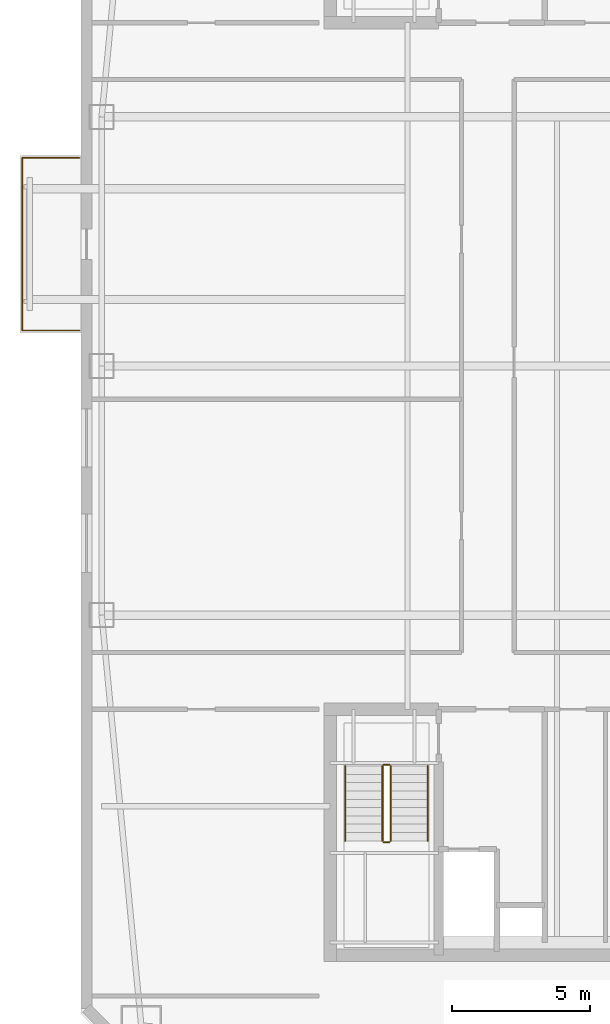
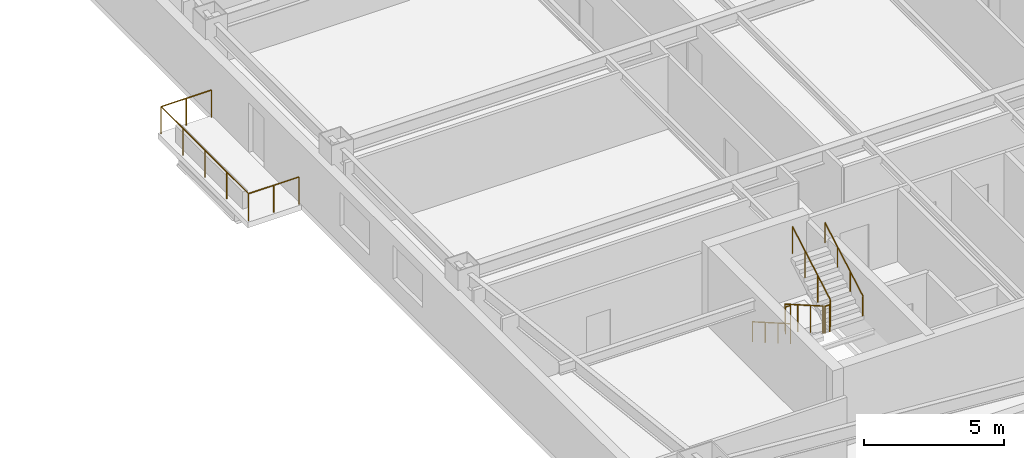
# One storey, part 13 of 16: 7 railings.
"""IFC4 building model written with IfcOpenShell, lengths in metres."""

from ifc_helpers import new_model, si_unit, direction, frame, origin, origin_2d, place, context, subcontext, project, spatial, circle, extrude, material, type_object, element, save


model = new_model("IFC4")

# Units and contexts
model_context = context("Model", 3, precision=1e-05, world=origin(), true_north=direction((0.0, 1.0)))
body_context = subcontext(model_context, "Body", "Model", "MODEL_VIEW")
ifc_project = project(units=[si_unit("LENGTHUNIT", "METRE"), si_unit("AREAUNIT", "SQUARE_METRE"), si_unit("VOLUMEUNIT", "CUBIC_METRE"), si_unit("PLANEANGLEUNIT", "RADIAN"), si_unit("MASSUNIT", "GRAM", prefix="KILO")], contexts=[model_context])

# Site, building, storey
site_placement = place(None, origin())
site = spatial("IfcSite", under=ifc_project, at=site_placement, CompositionType="ELEMENT")
building_placement = place(site_placement, origin())
building = spatial("IfcBuilding", under=site, at=building_placement, Name="Qiaolan Cultural Towers", CompositionType="ELEMENT")
storey_placement = place(building_placement, frame((0.0, 0.0, 198.949951171875)))
storey = spatial("IfcBuildingStorey", under=building, at=storey_placement, Name="L53", CompositionType="ELEMENT", Elevation=198.949951171875)

# Railings
ifc_material_1 = material(Name="Laminated SentryGlas & Stainless Steel S31608 Balustrade", Category="steel")
railing_type_1 = type_object("IfcRailingType", Name="GRD-TERR-1200", PredefinedType="BALUSTRADE", material=ifc_material_1)
railing_1_placement = place(storey_placement, frame((12.75, 35.280029296875, 0.0)))
element("IfcRailing", 1, at=railing_1_placement, inside=storey, type_object=railing_type_1, Name="L53 T1 Tree Balcony Guardrail W", PredefinedType="BALUSTRADE", context=body_context, shape_type="SweptSolid", body=[
    extrude(circle(Radius=0.02392578125, at=origin_2d()), frame((0.0, 0.0, 1.17578125), z_axis=(-1.0, 0.0, 0.0), x_axis=(0.0, -1.0, 0.0)), (0.0, 0.0, 1.0), 2.070068359375),
    extrude(circle(Radius=0.02392578125, at=origin_2d()), frame((-2.070068359375, 0.0, 1.17578125), z_axis=(0.0, 1.0, 0.0), x_axis=(-1.0, 0.0, 0.0)), (0.0, 0.0, 1.0), 6.239990234375),
    extrude(circle(Radius=0.02392578125, at=origin_2d()), frame((-2.070068359375, 6.239990234375, 1.17578125), z_axis=(1.0, 0.0, 0.0), x_axis=(0.0, 1.0, 0.0)), (0.0, 0.0, 1.0), 2.070068359375),
    extrude(circle(Radius=0.02099609375, at=origin_2d()), origin(), (0.0, 0.0, 1.0), 1.15185546875),
    extrude(circle(Radius=0.02099609375, at=origin_2d()), frame((-1.03515625, 0.0, 0.0)), (0.0, 0.0, 1.0), 1.15185546875),
    extrude(circle(Radius=0.02099609375, at=origin_2d()), frame((-2.070068359375, 0.0, 0.0)), (0.0, 0.0, 1.0), 1.15185546875),
    extrude(circle(Radius=0.02099609375, at=origin_2d()), frame((-2.070068359375, 1.56005859375, 0.0)), (0.0, 0.0, 1.0), 1.15185546875),
    extrude(circle(Radius=0.02099609375, at=origin_2d()), frame((-2.070068359375, 3.1201171875, 0.0)), (0.0, 0.0, 1.0), 1.15185546875),
    extrude(circle(Radius=0.02099609375, at=origin_2d()), frame((-2.070068359375, 4.679931640625, 0.0)), (0.0, 0.0, 1.0), 1.15185546875),
    extrude(circle(Radius=0.02099609375, at=origin_2d()), frame((-2.070068359375, 6.239990234375, 0.0)), (0.0, 0.0, 1.0), 1.15185546875),
    extrude(circle(Radius=0.02099609375, at=origin_2d()), frame((-1.03515625, 6.239990234375, 0.0)), (0.0, 0.0, 1.0), 1.15185546875),
    extrude(circle(Radius=0.02099609375, at=origin_2d()), frame((0.0, 6.239990234375, 0.0)), (0.0, 0.0, 1.0), 1.15185546875),
])
ifc_material_2 = material(Name="Galvanized Painted Steel Stair Guardrail", Category="steel")
railing_type_2 = type_object("IfcRailingType", Name="RL-STAIR-GRD", PredefinedType="GUARDRAIL", material=ifc_material_2)
railing_2_placement = place(storey_placement, frame((23.68994140625, 19.550048828125, 0.172607421875)))
element("IfcRailing", 2, at=railing_2_placement, inside=storey, type_object=railing_type_2, Name="L53 ST-W1 stair guard 1", PredefinedType="GUARDRAIL", context=body_context, shape_type="SweptSolid", body=[
    extrude(circle(Radius=0.02392578125, at=origin_2d()), frame((0.0, 0.0, 1.17578125), z_axis=(0.0, -0.866903762492, 0.498475542607), x_axis=(1.0, 0.0, 0.0)), (0.0, 0.0, 1.0), 3.114501953125),
    extrude(circle(Radius=0.02099609375, at=origin_2d()), origin(), (0.0, 0.0, 1.0), 1.15185546875),
    extrude(circle(Radius=0.02099609375, at=origin_2d()), frame((0.0, -0.89990234375, 0.517578125)), (0.0, 0.0, 1.0), 1.15185546875),
    extrude(circle(Radius=0.02099609375, at=origin_2d()), frame((0.0, -1.800048828125, 1.034912109375)), (0.0, 0.0, 1.0), 1.15185546875),
    extrude(circle(Radius=0.02099609375, at=origin_2d()), frame((0.0, -2.699951171875, 1.552490234375)), (0.0, 0.0, 1.0), 1.15185546875),
])
railing_3_placement = place(storey_placement, frame((23.739990234375, 16.800048828125, 1.72509765625)))
element("IfcRailing", 3, at=railing_3_placement, inside=storey, type_object=railing_type_2, Name="L53 ST-W1 stair guard 2", PredefinedType="GUARDRAIL", context=body_context, shape_type="SweptSolid", body=[
    extrude(circle(Radius=0.02392578125, at=origin_2d()), frame((0.0, 0.0, 1.17578125), z_axis=(1.0, 0.0, 0.0), x_axis=(0.0, 1.0, 0.0)), (0.0, 0.0, 1.0), 0.199951171875),
    extrude(circle(Radius=0.02099609375, at=origin_2d()), origin(), (0.0, 0.0, 1.0), 1.15185546875),
    extrude(circle(Radius=0.02099609375, at=origin_2d()), frame((0.199951171875, 0.0, 0.0)), (0.0, 0.0, 1.0), 1.15185546875),
])
railing_4_placement = place(storey_placement, frame((23.989990234375, 16.85009765625, 1.8974609375)))
element("IfcRailing", 4, at=railing_4_placement, inside=storey, type_object=railing_type_2, Name="L53 ST-W1 stair guard 3", PredefinedType="GUARDRAIL", context=body_context, shape_type="SweptSolid", body=[
    extrude(circle(Radius=0.02392578125, at=origin_2d()), frame((0.0, 0.0, 1.17578125), z_axis=(0.0, 0.866903762492, 0.498475542607), x_axis=(-1.0, 0.0, 0.0)), (0.0, 0.0, 1.0), 3.114501953125),
    extrude(circle(Radius=0.02099609375, at=origin_2d()), origin(), (0.0, 0.0, 1.0), 1.15185546875),
    extrude(circle(Radius=0.02099609375, at=origin_2d()), frame((0.0, 0.89990234375, 0.517578125)), (0.0, 0.0, 1.0), 1.15185546875),
    extrude(circle(Radius=0.02099609375, at=origin_2d()), frame((0.0, 1.800048828125, 1.034912109375)), (0.0, 0.0, 1.0), 1.15185546875),
    extrude(circle(Radius=0.02099609375, at=origin_2d()), frame((0.0, 2.699951171875, 1.552490234375)), (0.0, 0.0, 1.0), 1.15185546875),
])
railing_5_placement = place(storey_placement, frame((23.739990234375, 19.60009765625, 0.0)))
element("IfcRailing", 5, at=railing_5_placement, inside=storey, type_object=railing_type_2, Name="L53 ST-W1 stair guard 4", PredefinedType="GUARDRAIL", context=body_context, shape_type="SweptSolid", body=[
    extrude(circle(Radius=0.02392578125, at=origin_2d()), frame((0.0, 0.0, 1.17578125), z_axis=(1.0, 0.0, 0.0), x_axis=(0.0, 1.0, 0.0)), (0.0, 0.0, 1.0), 0.199951171875),
    extrude(circle(Radius=0.02099609375, at=origin_2d()), origin(), (0.0, 0.0, 1.0), 1.15185546875),
    extrude(circle(Radius=0.02099609375, at=origin_2d()), frame((0.199951171875, 0.0, 0.0)), (0.0, 0.0, 1.0), 1.15185546875),
])
ifc_material_3 = material(Name="Stainless Steel S30408 Tubular Handrail", Category="steel")
railing_type_3 = type_object("IfcRailingType", Name="RL-STAIR-HR", PredefinedType="HANDRAIL", material=ifc_material_3)
railing_6_placement = place(storey_placement, frame((22.35009765625, 19.550048828125, 0.172607421875)))
element("IfcRailing", 6, at=railing_6_placement, inside=storey, type_object=railing_type_3, Name="L53 ST-W1 stair handrail 1", PredefinedType="HANDRAIL", context=body_context, shape_type="SweptSolid", body=[
    extrude(circle(Radius=0.02392578125, at=origin_2d()), frame((0.0, 0.0, 0.8759765625), z_axis=(0.0, -0.866903762492, 0.498475542607), x_axis=(1.0, 0.0, 0.0)), (0.0, 0.0, 1.0), 3.114501953125),
    extrude(circle(Radius=0.02099609375, at=origin_2d()), origin(), (0.0, 0.0, 1.0), 0.851806640625),
    extrude(circle(Radius=0.02099609375, at=origin_2d()), frame((0.0, -0.89990234375, 0.517578125)), (0.0, 0.0, 1.0), 0.851806640625),
    extrude(circle(Radius=0.02099609375, at=origin_2d()), frame((0.0, -1.800048828125, 1.034912109375)), (0.0, 0.0, 1.0), 0.851806640625),
    extrude(circle(Radius=0.02099609375, at=origin_2d()), frame((0.0, -2.699951171875, 1.552490234375)), (0.0, 0.0, 1.0), 0.851806640625),
])
railing_7_placement = place(storey_placement, frame((25.330078125, 16.85009765625, 1.8974609375)))
element("IfcRailing", 7, at=railing_7_placement, inside=storey, type_object=railing_type_3, Name="L53 ST-W1 stair handrail 2", PredefinedType="HANDRAIL", context=body_context, shape_type="SweptSolid", body=[
    extrude(circle(Radius=0.02392578125, at=origin_2d()), frame((0.0, 0.0, 0.8759765625), z_axis=(0.0, 0.866903762492, 0.498475542607), x_axis=(-1.0, 0.0, 0.0)), (0.0, 0.0, 1.0), 3.114501953125),
    extrude(circle(Radius=0.02099609375, at=origin_2d()), origin(), (0.0, 0.0, 1.0), 0.851806640625),
    extrude(circle(Radius=0.02099609375, at=origin_2d()), frame((0.0, 0.89990234375, 0.517578125)), (0.0, 0.0, 1.0), 0.851806640625),
    extrude(circle(Radius=0.02099609375, at=origin_2d()), frame((0.0, 1.800048828125, 1.034912109375)), (0.0, 0.0, 1.0), 0.851806640625),
    extrude(circle(Radius=0.02099609375, at=origin_2d()), frame((0.0, 2.699951171875, 1.552490234375)), (0.0, 0.0, 1.0), 0.851806640625),
])

save(model, "model.ifc")
